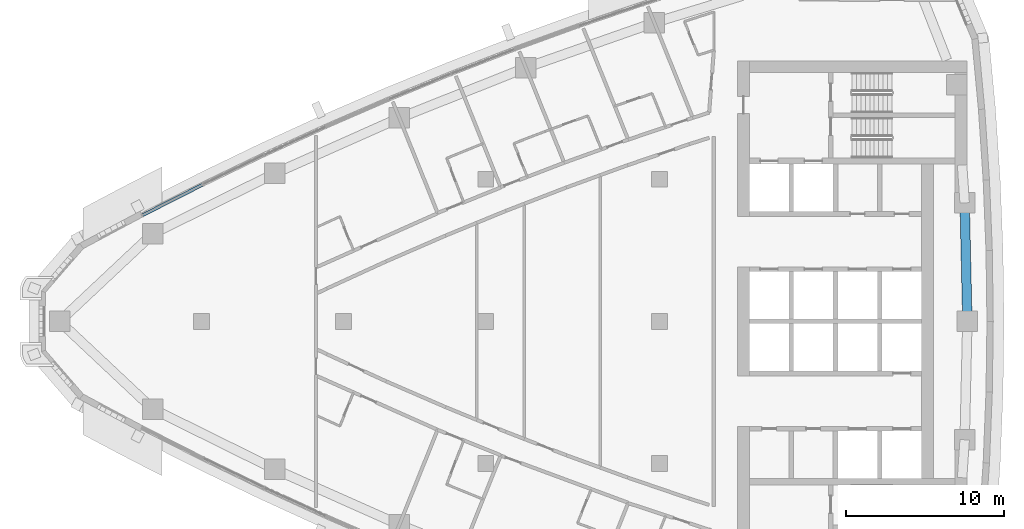
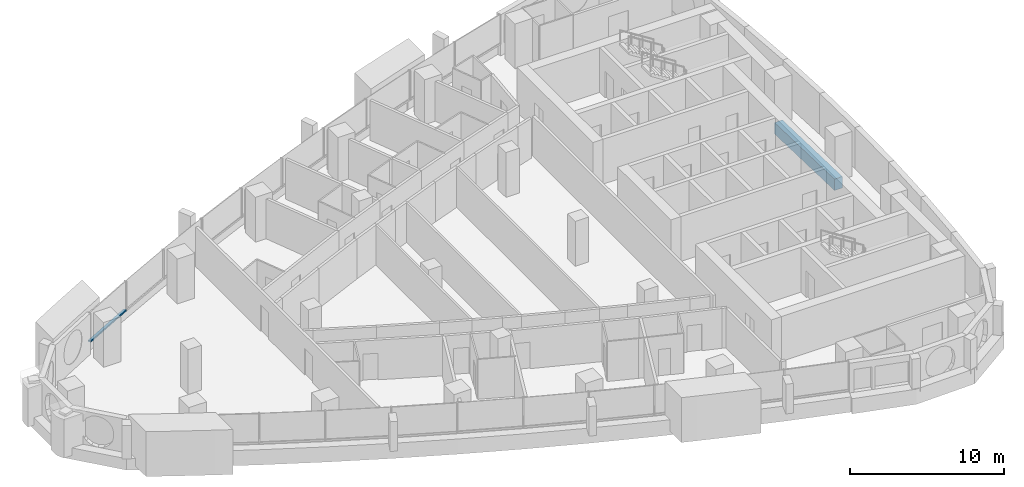
# One storey, part 5 of 17: 1 beam, 1 member, 1 element without a shape of its own.
"""IFC4 building model written with IfcOpenShell, lengths in metres."""

from ifc_helpers import new_model, si_unit, direction, frame, origin, origin_2d, place, context, subcontext, project, spatial, rectangle, extrude, material, layer, layer_set, material_profile, profile_set, type_object, element, aggregate, save


model = new_model("IFC4")

# Units and contexts
model_context = context("Model", 3, precision=1e-05, world=origin(), true_north=direction((0.0, 1.0)))
body_context = subcontext(model_context, "Body", "Model", "MODEL_VIEW")
ifc_project = project(units=[si_unit("LENGTHUNIT", "METRE"), si_unit("AREAUNIT", "SQUARE_METRE"), si_unit("VOLUMEUNIT", "CUBIC_METRE"), si_unit("PLANEANGLEUNIT", "RADIAN"), si_unit("MASSUNIT", "GRAM", prefix="KILO")], contexts=[model_context])

# Site, building, storey
site_placement = place(None, origin())
site = spatial("IfcSite", under=ifc_project, at=site_placement, CompositionType="ELEMENT")
building_placement = place(site_placement, origin())
building = spatial("IfcBuilding", under=site, at=building_placement, Name="Ostrand Prow Hotel Tower", CompositionType="ELEMENT")
storey_placement = place(building_placement, frame((0.0, 0.0, 207.449951171875)))
storey = spatial("IfcBuildingStorey", under=building, at=storey_placement, Name="L52", CompositionType="ELEMENT", Elevation=207.449951171875)

# Beam
ifc_material_1 = material(Name="Concrete C60/75", Category="concrete")
ifc_material_profile_1 = material_profile(ifc_material_1, rectangle(XDim=0.60009765625, YDim=0.89990234375, at=origin_2d()), Name="RC 600x900")
ifc_profile_set_1 = profile_set([ifc_material_profile_1], Name="Concrete C60/75")
beam_type = type_object("IfcBeamType", Name="Edge beam 600x900 C60/75", PredefinedType="SPANDREL", material=ifc_profile_set_1)
beam_placement = place(storey_placement, frame((64.5, 0.0, -0.75), z_axis=(-0.022620118241, 0.999744132391, 0.0), x_axis=(-0.999744132391, -0.022620118241, 0.0)))
element("IfcBeam", 1, at=beam_placement, inside=storey, type_object=beam_type, Name="Edge beam B3-B4", PredefinedType="SPANDREL", context=body_context, shape_type="SweptSolid", body=[
    extrude(rectangle(XDim=0.60009765625, YDim=0.89990234375, at=origin_2d()), origin(), (0.0, 0.0, 1.0), 7.501220703125),
])

# Curtain wall, member
ifc_material_2 = material(Name="Insulated glass in bronze anodised frame", Category="glass")
ifc_layer = layer(ifc_material_2, 0.199951171875)
ifc_layer_set = layer_set([ifc_layer], Name="Insulated glass in bronze anodised frame")
curtain_wall_type = type_object("IfcCurtainWallType", Name="Strip curtain wall, fritted glass over bronze spandrel", PredefinedType="NOTDEFINED", material=ifc_layer_set)
curtain_wall_placement = place(storey_placement, origin())
curtain_wall = element("IfcCurtainWall", 2, at=curtain_wall_placement, inside=storey, type_object=curtain_wall_type, Name="CW1 run CWN5", PredefinedType="NOTDEFINED")
ifc_material_3 = material(Name="Bronze anodised aluminium", Category="aluminium")
ifc_material_profile_2 = material_profile(ifc_material_3, rectangle(XDim=0.199951171875, YDim=0.1201171875, at=origin_2d()), Name="Transom 120x200 bronze anodised aluminium")
ifc_profile_set_2 = profile_set([ifc_material_profile_2], Name="Bronze anodised aluminium")
member_type = type_object("IfcMemberType", Name="Transom 120x200 bronze anodised aluminium", PredefinedType="USERDEFINED", material=ifc_profile_set_2)
member_placement = place(storey_placement, frame((16.06787109375, 8.6474609375, 0.9599609375), z_axis=(-0.891672840777, -0.452680400526, 0.0), x_axis=(0.452680400526, -0.891672840777, 0.0)))
member = element("IfcMember", 3, at=member_placement, type_object=member_type, Name="CW1 transom 2.1", ObjectType="TRANSOM", PredefinedType="USERDEFINED", context=body_context, shape_type="SweptSolid", body=[
    extrude(rectangle(XDim=0.199951171875, YDim=0.1201171875, at=origin_2d()), origin(), (0.0, 0.0, 1.0), 4.2451171875),
])
aggregate(curtain_wall, [member])

save(model, "model.ifc")
